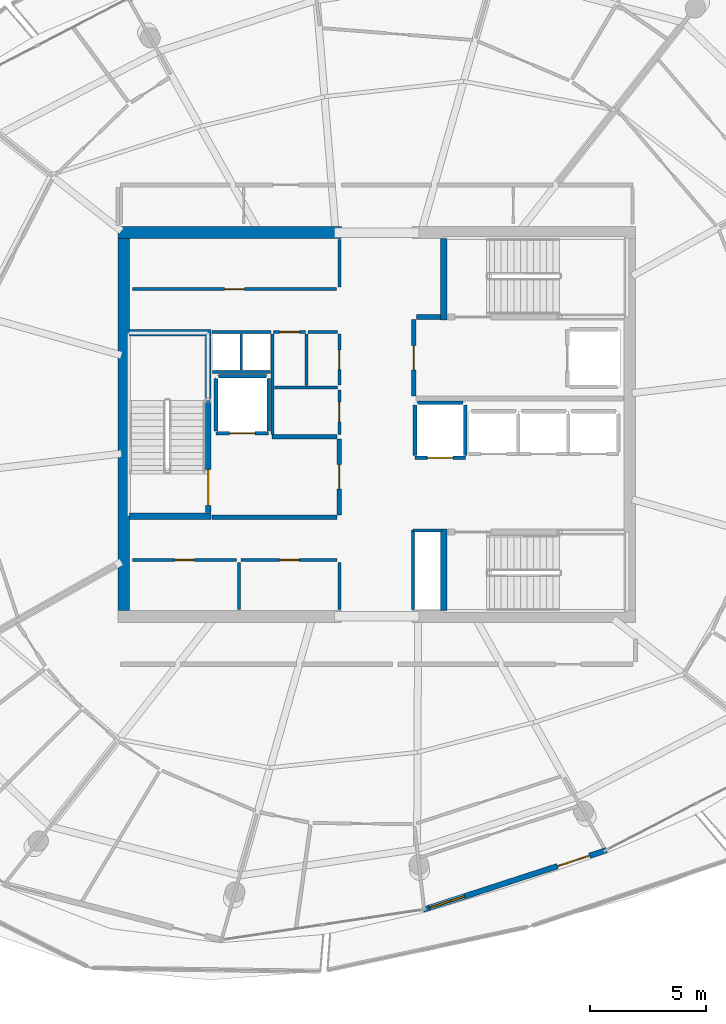
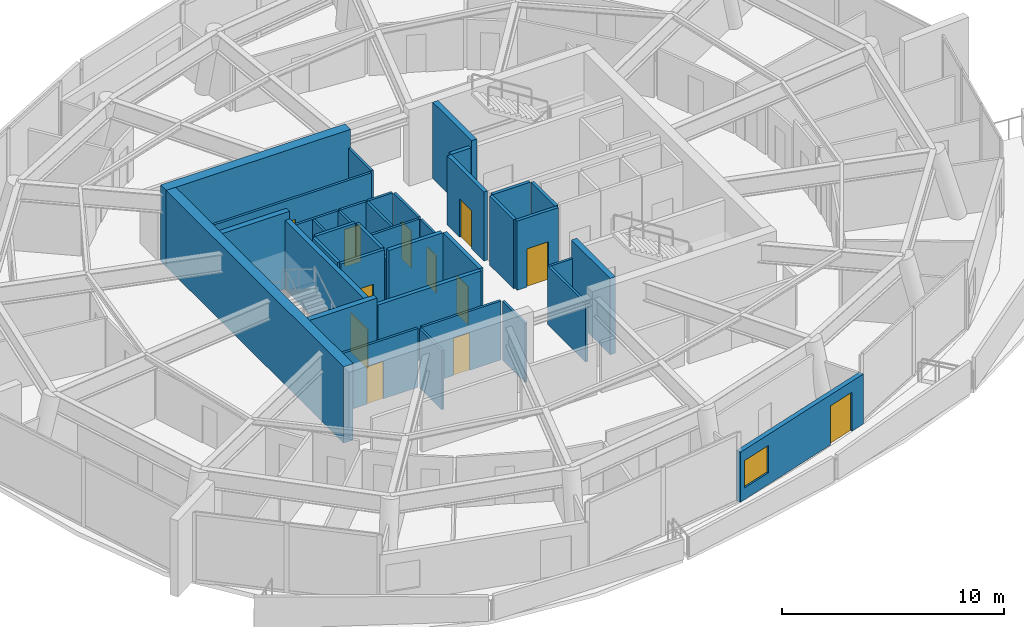
# One storey, part 10 of 19: 39 walls, 12 doors, 1 window, 13 openings.
"""IFC4 building model written with IfcOpenShell, lengths in metres."""

import ifcopenshell
import ifcopenshell.guid

model = None  # the IFC model being written
_history = None  # IfcOwnerHistory: only IFC2X3 demands one
_inside = {}  # id of a spatial element -> (the spatial element, [elements in it])
_under = {}  # id of a project, library or spatial element -> (it, [spatial elements below it])
_declared = {}  # id of a project -> (the project, [libraries it declares])
_typed = {}  # id of a type object -> (the type object, [elements of that type])
_made_of = {}  # id of a material, layer set ... -> (it, [elements and type objects made of it])


def new_model(schema):
    """Start an empty IFC model of exactly this schema.

    Asked for "IFC4X3", IfcOpenShell would pick the latest addendum, in which some entities
    have other attributes; the version numbers below select the first issue.
    IFC2X3 requires an IfcOwnerHistory on every rooted entity: one is made here for all.
    """
    global model, _history
    if schema == "IFC4X3":
        model = ifcopenshell.file(schema_version=(4, 3, 0, 0))
    else:
        model = ifcopenshell.file(schema=schema)
    _inside.clear()
    _under.clear()
    _declared.clear()
    _typed.clear()
    _made_of.clear()
    _history = None
    if model.schema == "IFC2X3":
        org = make("IfcOrganization", Name="unknown")
        user = make(
            "IfcPersonAndOrganization",
            ThePerson=make("IfcPerson", FamilyName="unknown"),
            TheOrganization=org,
        )
        app = make(
            "IfcApplication",
            ApplicationDeveloper=org,
            Version="unknown",
            ApplicationFullName="unknown",
            ApplicationIdentifier="unknown",
        )
        _history = make(
            "IfcOwnerHistory",
            OwningUser=user,
            OwningApplication=app,
            ChangeAction="ADDED",
            CreationDate=0,
        )
    return model


def make(cls, **values):
    """One entity of the class cls with the attributes given. An attribute that is None is left unset."""
    return model.create_entity(
        cls, **{name: value for name, value in values.items() if value is not None}
    )


def rooted(cls, **values):
    """An entity with a GlobalId (a new one), such as an element, a storey or a relation."""
    return make(cls, GlobalId=ifcopenshell.guid.new(), OwnerHistory=_history, **values)


def si_unit(unit_type, name, prefix=None):
    """IfcSIUnit, for example si_unit("LENGTHUNIT", "METRE", prefix="MILLI")."""
    return make("IfcSIUnit", UnitType=unit_type, Prefix=prefix, Name=name)


def assignment(units):
    """IfcUnitAssignment: the units of a project."""
    return None if units is None else make("IfcUnitAssignment", Units=units)


def point(xyz):
    """IfcCartesianPoint."""
    return None if xyz is None else make("IfcCartesianPoint", Coordinates=xyz)


def direction(xyz):
    """IfcDirection."""
    return None if xyz is None else make("IfcDirection", DirectionRatios=xyz)


def frame(location, z_axis=None, x_axis=None):
    """IfcAxis2Placement3D, a coordinate frame: its origin and axes. An axis left out is left unset."""
    return make(
        "IfcAxis2Placement3D",
        Location=point(location),
        Axis=direction(z_axis),
        RefDirection=direction(x_axis),
    )


def frame_2d(location, x_axis=None):
    """IfcAxis2Placement2D, a coordinate frame in the plane: its origin and x axis."""
    return make(
        "IfcAxis2Placement2D", Location=point(location), RefDirection=direction(x_axis)
    )


def origin():
    """The frame at (0, 0, 0) with its axes left unset."""
    return frame((0.0, 0.0, 0.0))


def place(relative_to, where):
    """IfcLocalPlacement: puts the frame where relative to a parent placement (None: the world)."""
    return make(
        "IfcLocalPlacement", PlacementRelTo=relative_to, RelativePlacement=where
    )


def context(
    kind, dimensions, precision=None, world=None, true_north=None, identifier=None
):
    """IfcGeometricRepresentationContext, for example the 3D "Model" context."""
    return make(
        "IfcGeometricRepresentationContext",
        ContextIdentifier=identifier,
        ContextType=kind,
        CoordinateSpaceDimension=dimensions,
        Precision=precision,
        WorldCoordinateSystem=world,
        TrueNorth=true_north,
    )


def subcontext(parent, identifier, kind, view, scale=None):
    """IfcGeometricRepresentationSubContext, for example "Body" below "Model"."""
    return make(
        "IfcGeometricRepresentationSubContext",
        ContextIdentifier=identifier,
        ContextType=kind,
        ParentContext=parent,
        TargetScale=scale,
        TargetView=view,
    )


def project(units=None, contexts=None):
    """IfcProject with its units and contexts."""
    return rooted(
        "IfcProject",
        Name="project",
        RepresentationContexts=contexts,
        UnitsInContext=assignment(units),
    )


def spatial(cls, under=None, at=None, **own):
    """A site, building, storey or space (cls), placed at a placement, below another one or the project."""
    s = rooted(cls, ObjectPlacement=at, **own)
    if under is not None:
        _under.setdefault(under.id(), (under, []))[1].append(s)
    return s


def profile(cls, at=None, kind="AREA", **sizes):
    """A parametric profile (cls). Its sizes go by their IFC names, for example OverallWidth=200.0."""
    return make(cls, ProfileType=kind, Position=at, **sizes)


def rectangle(**sizes):
    """IfcRectangleProfileDef."""
    return profile("IfcRectangleProfileDef", **sizes)


def extrude(swept, where, along, depth):
    """IfcExtrudedAreaSolid: the profile swept, set in the frame where, extruded along a direction by depth."""
    return make(
        "IfcExtrudedAreaSolid",
        SweptArea=swept,
        Position=where,
        ExtrudedDirection=direction(along),
        Depth=depth,
    )


def shape(context_of_items, identifier, shape_type, items):
    """IfcShapeRepresentation: the items that make up one representation, for example the "Body"."""
    return make(
        "IfcShapeRepresentation",
        ContextOfItems=context_of_items,
        RepresentationIdentifier=identifier,
        RepresentationType=shape_type,
        Items=items,
    )


def material(Name=None, Category=None):
    """IfcMaterial."""
    return make("IfcMaterial", Name=Name, Category=Category)


def layer(
    of_material, thickness, ventilated=None, Name=None, Category=None, Priority=None
):
    """IfcMaterialLayer: one layer of a wall or slab, of a material (None: an air gap)."""
    return make(
        "IfcMaterialLayer",
        Material=of_material,
        LayerThickness=thickness,
        IsVentilated=ventilated,
        Name=Name,
        Category=Category,
        Priority=Priority,
    )


def layer_set(layers, Name=None):
    """IfcMaterialLayerSet."""
    return make("IfcMaterialLayerSet", MaterialLayers=layers, LayerSetName=Name)


def made_of(thing, what):
    """Note that an element or type object is made of a material, layer set ...; save() writes the relation."""
    if what is not None:
        _made_of.setdefault(what.id(), (what, []))[1].append(thing)
    return thing


def type_object(cls, material=None, **own):
    """A type object (cls), such as IfcWallType, which elements share."""
    return made_of(rooted(cls, **own), material)


def element(
    cls,
    number,
    at=None,
    inside=None,
    cuts=None,
    type_object=None,
    material=None,
    context=None,
    identifier="Body",
    shape_type=None,
    held_by="IfcProductDefinitionShape",
    body=None,
    shapes=None,
    **own,
):
    """One element of the class cls, such as IfcWall. Its Tag is "e" and its number.

    at: its placement. inside: the storey or other place that contains it. cuts: it is an
    opening in that element (IfcRelVoidsElement). A single representation is given by context,
    identifier, shape_type and body (its items); several are given by shapes. held_by: the class
    of the entity that holds the representations. save() writes the other relations.
    """
    e = rooted(cls, Tag="e%d" % number, ObjectPlacement=at, **own)
    if body is not None:
        shapes = [shape(context, identifier, shape_type, body)]
    if shapes is not None:
        e.Representation = make(held_by, Representations=shapes)
    if inside is not None:
        _inside.setdefault(inside.id(), (inside, []))[1].append(e)
    if cuts is not None:
        rooted(
            "IfcRelVoidsElement", RelatingBuildingElement=cuts, RelatedOpeningElement=e
        )
    if type_object is not None:
        _typed.setdefault(type_object.id(), (type_object, []))[1].append(e)
    return made_of(e, material)


def fill(opening, filler):
    """IfcRelFillsElement: the door or window that sits in an opening."""
    return rooted(
        "IfcRelFillsElement",
        RelatingOpeningElement=opening,
        RelatedBuildingElement=filler,
    )


def aggregate(whole, parts):
    """IfcRelAggregates: a whole, such as a stair, and the parts it consists of."""
    return rooted("IfcRelAggregates", RelatingObject=whole, RelatedObjects=parts)


def save(model, path):
    """Write the relations noted so far, then the file.

    IfcRelAggregates (storeys below a building ...), IfcRelContainedInSpatialStructure (elements
    in a storey), IfcRelDefinesByType, IfcRelAssociatesMaterial and IfcRelDeclares: one each for
    every whole, place, type object, material and project.
    """
    for whole, parts in _under.values():
        aggregate(whole, parts)
    for where, things in _inside.values():
        rooted(
            "IfcRelContainedInSpatialStructure",
            RelatedElements=things,
            RelatingStructure=where,
        )
    for kind, things in _typed.values():
        rooted("IfcRelDefinesByType", RelatedObjects=things, RelatingType=kind)
    for what, things in _made_of.values():
        rooted("IfcRelAssociatesMaterial", RelatedObjects=things, RelatingMaterial=what)
    for by, libraries in _declared.values():
        rooted("IfcRelDeclares", RelatingContext=by, RelatedDefinitions=libraries)
    model.write(path)


model = new_model("IFC4")

# Units and contexts
model_context = context("Model", 3, precision=1e-05, world=origin(), true_north=direction((0.0, 1.0)))
body_context = subcontext(model_context, "Body", "Model", "MODEL_VIEW")
ifc_project = project(units=[si_unit("LENGTHUNIT", "METRE"), si_unit("AREAUNIT", "SQUARE_METRE"), si_unit("VOLUMEUNIT", "CUBIC_METRE"), si_unit("PLANEANGLEUNIT", "RADIAN"), si_unit("MASSUNIT", "GRAM", prefix="KILO")], contexts=[model_context])

# Site, building, storey
site_placement = place(None, origin())
site = spatial("IfcSite", under=ifc_project, at=site_placement, CompositionType="ELEMENT")
building_placement = place(site_placement, origin())
building = spatial("IfcBuilding", under=site, at=building_placement, Name="Kazma Halo Residences", CompositionType="ELEMENT")
storey_placement = place(building_placement, frame((0.0, 0.0, 347.300048828125)))
storey = spatial("IfcBuildingStorey", under=building, at=storey_placement, Name="L87", CompositionType="ELEMENT", Elevation=347.300048828125)

# Walls
ifc_material_1 = material(Name="Concrete C60/75", Category="concrete")
ifc_layer_1 = layer(ifc_material_1, 0.5)
ifc_layer_set_1 = layer_set([ifc_layer_1], Name="Concrete C60/75")
wall_type_1 = type_object("IfcWallType", Name="WL-CORE-500", PredefinedType="SHEAR", material=ifc_layer_set_1)
wall_1_placement = place(storey_placement, frame((37.300048828125, 50.25, 0.0), z_axis=(0.0, 0.0, 1.0), x_axis=(1.0, 0.0, 0.0)))
element("IfcWall", 1, at=wall_1_placement, inside=storey, type_object=wall_type_1, Name="L87 central core shear wall NW", PredefinedType="SHEAR", context=body_context, shape_type="SweptSolid", body=[
    extrude(rectangle(XDim=9.599853515625, YDim=0.5, at=frame_2d((4.7998046875, 0.0))), origin(), (0.0, 0.0, 1.0), 4.199951171875),
])
wall_2_placement = place(storey_placement, frame((37.550048828125, 34.0, 0.0), z_axis=(0.0, 0.0, 1.0), x_axis=(0.0, 1.0, 0.0)))
element("IfcWall", 2, at=wall_2_placement, inside=storey, type_object=wall_type_1, Name="L87 central core shear wall W", PredefinedType="SHEAR", context=body_context, shape_type="SweptSolid", body=[
    extrude(rectangle(XDim=16.0, YDim=0.5, at=frame_2d((8.0, 0.0))), origin(), (0.0, 0.0, 1.0), 4.199951171875),
])
ifc_layer_2 = layer(ifc_material_1, 0.280029296875)
ifc_layer_set_2 = layer_set([ifc_layer_2], Name="Concrete C60/75")
wall_type_2 = type_object("IfcWallType", Name="WL-CORE-ST-280", PredefinedType="SHEAR", material=ifc_layer_set_2)
for number, where, z_axis, x_axis, name in (
    (3, (37.800048828125, 38.06005859375, 0.0), (0.0, 0.0, 1.0), (1.0, 0.0, 0.0), "L87 stairwell bearing wall ST01-S"),
    (4, (37.800048828125, 45.93994140625, 0.0), (0.0, 0.0, 1.0), (1.0, 0.0, 0.0), "L87 stairwell bearing wall ST01-N"),
    (5, (51.31005859375, 46.5, 0.0), (0.0, 0.0, 1.0), (0.0, 1.0, 0.0), "L87 stairwell bearing wall ST02-W"),
    (6, (51.31005859375, 34.0, 0.0), (0.0, 0.0, 1.0), (0.0, 1.0, 0.0), "L87 stairwell bearing wall ST03-W"),
):
    element("IfcWall", number, at=place(storey_placement, frame(where, z_axis=z_axis, x_axis=x_axis)), inside=storey, type_object=wall_type_2, Name=name, PredefinedType="SHEAR", context=body_context, shape_type="SweptSolid", body=[
        extrude(rectangle(XDim=3.5, YDim=0.280029296875, at=frame_2d((1.75, 0.0))), origin(), (0.0, 0.0, 1.0), 4.199951171875),
    ])

# Wall, openings, door, window
ifc_material_2 = material(Name="Insulated Pale-Metal Composite Wall")
ifc_layer_3 = layer(ifc_material_2, 0.239990234375)
ifc_layer_set_3 = layer_set([ifc_layer_3], Name="Insulated Pale-Metal Composite Wall")
wall_type_3 = type_object("IfcWallType", Name="WL-EXT-HOST-240", PredefinedType="SOLIDWALL", material=ifc_layer_set_3)
wall_3_placement = place(storey_placement, frame((50.419189453125, 21.142578125, 0.0), z_axis=(0.0, 0.0, 1.0), x_axis=(0.951053547111, 0.309026132434, 0.0)))
wall_3 = element("IfcWall", 7, at=wall_3_placement, inside=storey, type_object=wall_type_3, Name="L87 exterior terrace-access wall B12", PredefinedType="SOLIDWALL", context=body_context, shape_type="SweptSolid", body=[
    extrude(rectangle(XDim=8.2890625, YDim=0.239990234375, at=frame_2d((4.14453125, 0.0))), origin(), (0.0, 0.0, 1.0), 2.75),
])
opening_1_placement = place(wall_3_placement, frame((6.06884765625, 0.0, 0.0)))
opening_1 = element("IfcOpeningElement", 8, at=opening_1_placement, cuts=wall_3, Name="Opening DTR-1600", PredefinedType="OPENING", context=body_context, shape_type="SweptSolid", body=[
    extrude(rectangle(XDim=1.449951171875, YDim=2.14990234375, at=frame_2d((0.72509765625, 1.074951171875))), frame((0.0, 0.1298828125, 0.0), z_axis=(0.0, -1.0, 0.0), x_axis=(1.0, 0.0, 0.0)), (0.0, 0.0, 1.0), 0.260009765625),
])
opening_2_placement = place(wall_3_placement, frame((0.280029296875, 0.0, 0.64990234375)))
opening_2 = element("IfcOpeningElement", 9, at=opening_2_placement, cuts=wall_3, Name="Opening W-1800", PredefinedType="OPENING", context=body_context, shape_type="SweptSolid", body=[
    extrude(rectangle(XDim=1.60009765625, YDim=1.5, at=frame_2d((0.800048828125, 0.75))), frame((0.0, 0.1298828125, 0.0), z_axis=(0.0, -1.0, 0.0), x_axis=(1.0, 0.0, 0.0)), (0.0, 0.0, 1.0), 0.260009765625),
])
ifc_material_3 = material(Name="Aluminium AW-6063 T6 Double-Glazed Terrace Door", Category="aluminium")
door_type_1 = type_object("IfcDoorType", Name="DR-EXT-TERR-1600", OperationType="NOTDEFINED", PredefinedType="DOOR", material=ifc_material_3)
door_1_placement = place(opening_1_placement, origin())
door_1 = element("IfcDoor", 10, at=door_1_placement, inside=storey, type_object=door_type_1, Name="L87 B12 balcony terrace door", OperationType="DOUBLE_DOOR_SLIDING", OverallHeight=2.14990234375, OverallWidth=1.449951171875, PredefinedType="DOOR", context=body_context, shape_type="SweptSolid", body=[
    extrude(rectangle(XDim=1.449951171875, YDim=2.14990234375, at=frame_2d((0.72509765625, 1.074951171875))), frame((0.0, 0.02490234375, 0.0), z_axis=(0.0, -1.0, 0.0), x_axis=(1.0, 0.0, 0.0)), (0.0, 0.0, 1.0), 0.050048828125),
])
fill(opening_1, door_1)
ifc_material_4 = material(Name="Clear Triple-Silver Low-E Glass in Aluminium AW-6063 T6 Frame", Category="aluminium")
window_type = type_object("IfcWindowType", Name="WIN-RES-1800", PartitioningType="DOUBLE_PANEL_VERTICAL", PredefinedType="WINDOW", material=ifc_material_4)
window_placement = place(opening_2_placement, origin())
window = element("IfcWindow", 11, at=window_placement, inside=storey, type_object=window_type, Name="L87 B12 apartment window", OverallHeight=1.5, OverallWidth=1.60009765625, PartitioningType="SINGLE_PANEL", PredefinedType="WINDOW", context=body_context, shape_type="SweptSolid", body=[
    extrude(rectangle(XDim=1.60009765625, YDim=1.5, at=frame_2d((0.800048828125, 0.75))), frame((0.0, 0.030029296875, 0.0), z_axis=(0.0, -1.0, 0.0), x_axis=(1.0, 0.0, 0.0)), (0.0, 0.0, 1.0), 0.06005859375),
])
fill(opening_2, window)

# Wall, opening, door
ifc_material_5 = material(Name="Fire-Rated Blockwork Masonry", Category="masonry")
ifc_layer_4 = layer(ifc_material_5, 0.199951171875)
ifc_layer_set_4 = layer_set([ifc_layer_4], Name="Fire-Rated Blockwork Masonry")
wall_type_4 = type_object("IfcWallType", Name="WL-FLB-200", PredefinedType="PARTITIONING", material=ifc_layer_set_4)
wall_4_placement = place(storey_placement, frame((43.780029296875, 41.6201171875, 0.0), z_axis=(0.0, 0.0, 1.0), x_axis=(-1.0, 0.0, 0.0)))
wall_4 = element("IfcWall", 12, at=wall_4_placement, inside=storey, type_object=wall_type_4, Name="L87 lift shaft FL-01 front wall", PredefinedType="PARTITIONING", context=body_context, shape_type="SweptSolid", body=[
    extrude(rectangle(XDim=2.260009765625, YDim=0.159912109375, at=frame_2d((1.1298828125, 0.0))), origin(), (0.0, 0.0, 1.0), 3.800048828125),
])
opening_3_placement = place(wall_4_placement, frame((0.580078125, 0.0, 0.0)))
opening_3 = element("IfcOpeningElement", 13, at=opening_3_placement, cuts=wall_4, Name="Opening LD-FL-01", PredefinedType="OPENING", context=body_context, shape_type="SweptSolid", body=[
    extrude(rectangle(XDim=1.10009765625, YDim=2.10009765625, at=frame_2d((0.550048828125, 1.050048828125))), frame((0.0, 0.08984375, 0.0), z_axis=(0.0, -1.0, 0.0), x_axis=(1.0, 0.0, 0.0)), (0.0, 0.0, 1.0), 0.179931640625),
])
ifc_material_6 = material(Name="Stainless Steel Fire-Rated", Category="steel")
door_type_2 = type_object("IfcDoorType", Name="DR-LIFT-SLD-1100", OperationType="DOUBLE_DOOR_SLIDING", PredefinedType="DOOR", material=ifc_material_6)
door_2_placement = place(opening_3_placement, origin())
door_2 = element("IfcDoor", 14, at=door_2_placement, inside=storey, type_object=door_type_2, Name="L87 lift FL-01 sliding landing door", OperationType="DOUBLE_DOOR_SLIDING", OverallHeight=2.10009765625, OverallWidth=1.10009765625, PredefinedType="DOOR", context=body_context, shape_type="SweptSolid", body=[
    extrude(rectangle(XDim=1.10009765625, YDim=2.10009765625, at=frame_2d((0.550048828125, 1.050048828125))), frame((0.0, 0.02490234375, 0.0), z_axis=(0.0, -1.0, 0.0), x_axis=(1.0, 0.0, 0.0)), (0.0, 0.0, 1.0), 0.050048828125),
])
fill(opening_3, door_2)

# Walls
for number, where, z_axis, x_axis, name in (
    (15, (43.780029296875, 41.719970703125, 0.0), (0.0, 0.0, 1.0), (0.0, 1.0, 0.0), "L87 lift shaft FL-01 side wall E"),
    (16, (41.52001953125, 41.719970703125, 0.0), (0.0, 0.0, 1.0), (0.0, 1.0, 0.0), "L87 lift shaft FL-01 side wall W"),
):
    element("IfcWall", number, at=place(storey_placement, frame(where, z_axis=z_axis, x_axis=x_axis)), inside=storey, type_object=wall_type_4, Name=name, PredefinedType="PARTITIONING", context=body_context, shape_type="SweptSolid", body=[
        extrude(rectangle(XDim=2.260009765625, YDim=0.159912109375, at=frame_2d((1.1298828125, 0.0))), origin(), (0.0, 0.0, 1.0), 3.800048828125),
    ])
wall_5_placement = place(storey_placement, frame((41.6201171875, 44.080078125, 0.0), z_axis=(0.0, 0.0, 1.0), x_axis=(1.0, 0.0, 0.0)))
element("IfcWall", 17, at=wall_5_placement, inside=storey, type_object=wall_type_4, Name="L87 lift shaft FL-01 side wall N", PredefinedType="PARTITIONING", context=body_context, shape_type="SweptSolid", body=[
    extrude(rectangle(XDim=2.059814453125, YDim=0.159912109375, at=frame_2d((1.02978515625, 0.0))), origin(), (0.0, 0.0, 1.0), 3.800048828125),
])

# Wall, opening, door
wall_6_placement = place(storey_placement, frame((52.22998046875, 40.570068359375, 0.0), z_axis=(0.0, 0.0, 1.0), x_axis=(-1.0, 0.0, 0.0)))
wall_6 = element("IfcWall", 18, at=wall_6_placement, inside=storey, type_object=wall_type_4, Name="L87 lift shaft SV-01 front wall", PredefinedType="PARTITIONING", context=body_context, shape_type="SweptSolid", body=[
    extrude(rectangle(XDim=2.159912109375, YDim=0.159912109375, at=frame_2d((1.080078125, 0.0))), origin(), (0.0, 0.0, 1.0), 3.800048828125),
])
opening_4_placement = place(wall_6_placement, frame((0.530029296875, 0.0, 0.0)))
opening_4 = element("IfcOpeningElement", 19, at=opening_4_placement, cuts=wall_6, Name="Opening LD-SV-01", PredefinedType="OPENING", context=body_context, shape_type="SweptSolid", body=[
    extrude(rectangle(XDim=1.10009765625, YDim=2.10009765625, at=frame_2d((0.550048828125, 1.050048828125))), frame((0.0, 0.08984375, 0.0), z_axis=(0.0, -1.0, 0.0), x_axis=(1.0, 0.0, 0.0)), (0.0, 0.0, 1.0), 0.179931640625),
])
door_3_placement = place(opening_4_placement, origin())
door_3 = element("IfcDoor", 20, at=door_3_placement, inside=storey, type_object=door_type_2, Name="L87 lift SV-01 sliding landing door", OperationType="DOUBLE_DOOR_SLIDING", OverallHeight=2.10009765625, OverallWidth=1.10009765625, PredefinedType="DOOR", context=body_context, shape_type="SweptSolid", body=[
    extrude(rectangle(XDim=1.10009765625, YDim=2.10009765625, at=frame_2d((0.550048828125, 1.050048828125))), frame((0.0, 0.02490234375, 0.0), z_axis=(0.0, -1.0, 0.0), x_axis=(1.0, 0.0, 0.0)), (0.0, 0.0, 1.0), 0.050048828125),
])
fill(opening_4, door_3)

# Walls
for number, where, z_axis, x_axis, name in (
    (21, (52.22998046875, 40.669921875, 0.0), (0.0, 0.0, 1.0), (0.0, 1.0, 0.0), "L87 lift shaft SV-01 side wall E"),
    (22, (50.070068359375, 40.669921875, 0.0), (0.0, 0.0, 1.0), (0.0, 1.0, 0.0), "L87 lift shaft SV-01 side wall W"),
):
    element("IfcWall", number, at=place(storey_placement, frame(where, z_axis=z_axis, x_axis=x_axis)), inside=storey, type_object=wall_type_4, Name=name, PredefinedType="PARTITIONING", context=body_context, shape_type="SweptSolid", body=[
        extrude(rectangle(XDim=2.16015625, YDim=0.159912109375, at=frame_2d((1.080078125, 0.0))), origin(), (0.0, 0.0, 1.0), 3.800048828125),
    ])
wall_7_placement = place(storey_placement, frame((50.169921875, 42.929931640625, 0.0), z_axis=(0.0, 0.0, 1.0), x_axis=(1.0, 0.0, 0.0)))
element("IfcWall", 23, at=wall_7_placement, inside=storey, type_object=wall_type_4, Name="L87 lift shaft SV-01 side wall N", PredefinedType="PARTITIONING", context=body_context, shape_type="SweptSolid", body=[
    extrude(rectangle(XDim=1.9599609375, YDim=0.159912109375, at=frame_2d((0.97998046875, 0.0))), origin(), (0.0, 0.0, 1.0), 3.800048828125),
])
wall_8_placement = place(storey_placement, frame((41.35009765625, 38.02001953125, 0.0), z_axis=(0.0, 0.0, 1.0), x_axis=(1.0, 0.0, 0.0)))
element("IfcWall", 24, at=wall_8_placement, inside=storey, type_object=wall_type_4, Name="L87 west firefighting lobby south smoke wall", PredefinedType="PARTITIONING", context=body_context, shape_type="SweptSolid", body=[
    extrude(rectangle(XDim=5.369873046875, YDim=0.199951171875, at=frame_2d((2.68505859375, 0.0))), origin(), (0.0, 0.0, 1.0), 3.800048828125),
])
wall_9_placement = place(storey_placement, frame((43.919921875, 41.47998046875, 0.0), z_axis=(0.0, 0.0, 1.0), x_axis=(1.0, 0.0, 0.0)))
element("IfcWall", 25, at=wall_9_placement, inside=storey, type_object=wall_type_4, Name="L87 west firefighting lobby north smoke wall", PredefinedType="PARTITIONING", context=body_context, shape_type="SweptSolid", body=[
    extrude(rectangle(XDim=2.800048828125, YDim=0.199951171875, at=frame_2d((1.39990234375, 0.0))), origin(), (0.0, 0.0, 1.0), 3.800048828125),
])

# Wall, opening, door
wall_10_placement = place(storey_placement, frame((46.820068359375, 38.1201171875, 0.0), z_axis=(0.0, 0.0, 1.0), x_axis=(0.0, 1.0, 0.0)))
wall_10 = element("IfcWall", 26, at=wall_10_placement, inside=storey, type_object=wall_type_4, Name="L87 west firefighting lobby smoke wall", PredefinedType="PARTITIONING", context=body_context, shape_type="SweptSolid", body=[
    extrude(rectangle(XDim=3.259765625, YDim=0.199951171875, at=frame_2d((1.6298828125, 0.0))), origin(), (0.0, 0.0, 1.0), 3.800048828125),
])
opening_5_placement = place(wall_10_placement, frame((1.10498046875, 0.0, 0.0)))
opening_5 = element("IfcOpeningElement", 27, at=opening_5_placement, cuts=wall_10, Name="Opening D-FLW", PredefinedType="OPENING", context=body_context, shape_type="SweptSolid", body=[
    extrude(rectangle(XDim=1.050048828125, YDim=2.10009765625, at=frame_2d((0.52490234375, 1.050048828125))), frame((0.0, 0.10986328125, 0.0), z_axis=(0.0, -1.0, 0.0), x_axis=(1.0, 0.0, 0.0)), (0.0, 0.0, 1.0), 0.219970703125),
])
ifc_material_7 = material(Name="Fire-Rated Steel Leaf", Category="steel")
door_type_3 = type_object("IfcDoorType", Name="DR-FD90-1050", OperationType="NOTDEFINED", PredefinedType="DOOR", material=ifc_material_7)
door_4_placement = place(opening_5_placement, origin())
door_4 = element("IfcDoor", 28, at=door_4_placement, inside=storey, type_object=door_type_3, Name="L87 west firefighting lobby smoke door", OperationType="SINGLE_SWING_RIGHT", OverallHeight=2.10009765625, OverallWidth=1.050048828125, PredefinedType="DOOR", context=body_context, shape_type="SweptSolid", body=[
    extrude(rectangle(XDim=1.050048828125, YDim=2.10009765625, at=frame_2d((0.52490234375, 1.050048828125))), frame((0.0, 0.02490234375, 0.0), z_axis=(0.0, -1.0, 0.0), x_axis=(1.0, 0.0, 0.0)), (0.0, 0.0, 1.0), 0.050048828125),
])
fill(opening_5, door_4)

# Wall
wall_11_placement = place(storey_placement, frame((50.139892578125, 46.6201171875, 0.0), z_axis=(0.0, 0.0, 1.0), x_axis=(1.0, 0.0, 0.0)))
element("IfcWall", 29, at=wall_11_placement, inside=storey, type_object=wall_type_4, Name="L87 east firefighting lobby north closure wall", PredefinedType="PARTITIONING", context=body_context, shape_type="SweptSolid", body=[
    extrude(rectangle(XDim=1.02001953125, YDim=0.199951171875, at=frame_2d((0.510009765625, 0.0))), origin(), (0.0, 0.0, 1.0), 3.800048828125),
])

# Wall, opening, door
wall_12_placement = place(storey_placement, frame((50.02001953125, 43.219970703125, 0.0), z_axis=(0.0, 0.0, 1.0), x_axis=(0.0, 1.0, 0.0)))
wall_12 = element("IfcWall", 30, at=wall_12_placement, inside=storey, type_object=wall_type_4, Name="L87 east firefighting lobby smoke wall", PredefinedType="PARTITIONING", context=body_context, shape_type="SweptSolid", body=[
    extrude(rectangle(XDim=3.300048828125, YDim=0.199951171875, at=frame_2d((1.64990234375, 0.0))), origin(), (0.0, 0.0, 1.0), 3.800048828125),
])
opening_6_placement = place(wall_12_placement, frame((1.125, 0.0, 0.0)))
opening_6 = element("IfcOpeningElement", 31, at=opening_6_placement, cuts=wall_12, Name="Opening D-FLE", PredefinedType="OPENING", context=body_context, shape_type="SweptSolid", body=[
    extrude(rectangle(XDim=1.050048828125, YDim=2.10009765625, at=frame_2d((0.52490234375, 1.050048828125))), frame((0.0, 0.10986328125, 0.0), z_axis=(0.0, -1.0, 0.0), x_axis=(1.0, 0.0, 0.0)), (0.0, 0.0, 1.0), 0.219970703125),
])
door_5_placement = place(opening_6_placement, origin())
door_5 = element("IfcDoor", 32, at=door_5_placement, inside=storey, type_object=door_type_3, Name="L87 east firefighting lobby smoke door", OperationType="SINGLE_SWING_LEFT", OverallHeight=2.10009765625, OverallWidth=1.050048828125, PredefinedType="DOOR", context=body_context, shape_type="SweptSolid", body=[
    extrude(rectangle(XDim=1.050048828125, YDim=2.10009765625, at=frame_2d((0.52490234375, 1.050048828125))), frame((0.0, 0.02490234375, 0.0), z_axis=(0.0, -1.0, 0.0), x_axis=(1.0, 0.0, 0.0)), (0.0, 0.0, 1.0), 0.050048828125),
])
fill(opening_6, door_5)

# Walls
ifc_material_8 = material(Name="Gypsum Plasterboard Partition")
ifc_layer_5 = layer(ifc_material_8, 0.125)
ifc_layer_set_5 = layer_set([ifc_layer_5], Name="Gypsum Plasterboard Partition")
wall_type_5 = type_object("IfcWallType", Name="WL-PART-125", PredefinedType="PARTITIONING", material=ifc_layer_set_5)
for number, where, z_axis, x_axis, name in (
    (33, (46.820068359375, 34.050048828125, 0.0), (0.0, 0.0, 1.0), (0.0, 1.0, 0.0), "L87 reclaimed south east wall"),
    (34, (42.5, 34.050048828125, 0.0), (0.0, 0.0, 1.0), (0.0, 1.0, 0.0), "L87 reclaimed south divider wall"),
):
    element("IfcWall", number, at=place(storey_placement, frame(where, z_axis=z_axis, x_axis=x_axis)), inside=storey, type_object=wall_type_5, Name=name, PredefinedType="PARTITIONING", context=body_context, shape_type="SweptSolid", body=[
        extrude(rectangle(XDim=2.030029296875, YDim=0.125, at=frame_2d((1.01513671875, 0.0))), origin(), (0.0, 0.0, 1.0), 3.239990234375),
    ])

# Wall, opening, door
wall_13_placement = place(storey_placement, frame((37.919921875, 36.179931640625, 0.0), z_axis=(0.0, 0.0, 1.0), x_axis=(1.0, 0.0, 0.0)))
wall_13 = element("IfcWall", 35, at=wall_13_placement, inside=storey, type_object=wall_type_5, Name="L87 reclaimed south W front wall", PredefinedType="PARTITIONING", context=body_context, shape_type="SweptSolid", body=[
    extrude(rectangle(XDim=4.47998046875, YDim=0.125, at=frame_2d((2.239990234375, 0.0))), origin(), (0.0, 0.0, 1.0), 3.239990234375),
])
opening_7_placement = place(wall_13_placement, frame((1.81494140625, 0.0, 0.0)))
opening_7 = element("IfcOpeningElement", 36, at=opening_7_placement, cuts=wall_13, Name="Opening DS-850", PredefinedType="OPENING", context=body_context, shape_type="SweptSolid", body=[
    extrude(rectangle(XDim=0.85009765625, YDim=2.06005859375, at=frame_2d((0.425048828125, 1.030029296875))), frame((0.0, 0.072509765625, 0.0), z_axis=(0.0, -1.0, 0.0), x_axis=(1.0, 0.0, 0.0)), (0.0, 0.0, 1.0), 0.14501953125),
])
ifc_material_9 = material(Name="Painted Steel Access Leaf", Category="steel")
door_type_4 = type_object("IfcDoorType", Name="DR-SVC-850", OperationType="NOTDEFINED", PredefinedType="DOOR", material=ifc_material_9)
door_6_placement = place(opening_7_placement, origin())
door_6 = element("IfcDoor", 37, at=door_6_placement, inside=storey, type_object=door_type_4, Name="L87 reclaimed south W door", OperationType="SINGLE_SWING_RIGHT", OverallHeight=2.06005859375, OverallWidth=0.85009765625, PredefinedType="DOOR", context=body_context, shape_type="SweptSolid", body=[
    extrude(rectangle(XDim=0.85009765625, YDim=2.06005859375, at=frame_2d((0.425048828125, 1.030029296875))), frame((0.0, 0.02490234375, 0.0), z_axis=(0.0, -1.0, 0.0), x_axis=(1.0, 0.0, 0.0)), (0.0, 0.0, 1.0), 0.050048828125),
])
fill(opening_7, door_6)

wall_14_placement = place(storey_placement, frame((42.60009765625, 36.179931640625, 0.0), z_axis=(0.0, 0.0, 1.0), x_axis=(1.0, 0.0, 0.0)))
wall_14 = element("IfcWall", 38, at=wall_14_placement, inside=storey, type_object=wall_type_5, Name="L87 reclaimed south E front wall", PredefinedType="PARTITIONING", context=body_context, shape_type="SweptSolid", body=[
    extrude(rectangle(XDim=4.119873046875, YDim=0.125, at=frame_2d((2.06005859375, 0.0))), origin(), (0.0, 0.0, 1.0), 3.239990234375),
])
opening_8_placement = place(wall_14_placement, frame((1.635009765625, 0.0, 0.0)))
opening_8 = element("IfcOpeningElement", 39, at=opening_8_placement, cuts=wall_14, Name="Opening DS-850", PredefinedType="OPENING", context=body_context, shape_type="SweptSolid", body=[
    extrude(rectangle(XDim=0.85009765625, YDim=2.06005859375, at=frame_2d((0.425048828125, 1.030029296875))), frame((0.0, 0.072509765625, 0.0), z_axis=(0.0, -1.0, 0.0), x_axis=(1.0, 0.0, 0.0)), (0.0, 0.0, 1.0), 0.14501953125),
])
door_7_placement = place(opening_8_placement, origin())
door_7 = element("IfcDoor", 40, at=door_7_placement, inside=storey, type_object=door_type_4, Name="L87 reclaimed south E door", OperationType="SINGLE_SWING_LEFT", OverallHeight=2.06005859375, OverallWidth=0.85009765625, PredefinedType="DOOR", context=body_context, shape_type="SweptSolid", body=[
    extrude(rectangle(XDim=0.85009765625, YDim=2.06005859375, at=frame_2d((0.425048828125, 1.030029296875))), frame((0.0, 0.02490234375, 0.0), z_axis=(0.0, -1.0, 0.0), x_axis=(1.0, 0.0, 0.0)), (0.0, 0.0, 1.0), 0.050048828125),
])
fill(opening_8, door_7)

# Wall
wall_15_placement = place(storey_placement, frame((46.820068359375, 47.919921875, 0.0), z_axis=(0.0, 0.0, 1.0), x_axis=(0.0, 1.0, 0.0)))
element("IfcWall", 41, at=wall_15_placement, inside=storey, type_object=wall_type_5, Name="L87 reclaimed north east wall", PredefinedType="PARTITIONING", context=body_context, shape_type="SweptSolid", body=[
    extrude(rectangle(XDim=2.030029296875, YDim=0.125, at=frame_2d((1.01513671875, 0.0))), origin(), (0.0, 0.0, 1.0), 3.239990234375),
])

# Wall, opening, door
wall_16_placement = place(storey_placement, frame((37.919921875, 47.820068359375, 0.0), z_axis=(0.0, 0.0, 1.0), x_axis=(1.0, 0.0, 0.0)))
wall_16 = element("IfcWall", 42, at=wall_16_placement, inside=storey, type_object=wall_type_5, Name="L87 reclaimed north front wall", PredefinedType="PARTITIONING", context=body_context, shape_type="SweptSolid", body=[
    extrude(rectangle(XDim=8.780029296875, YDim=0.125, at=frame_2d((4.39013671875, 0.0))), origin(), (0.0, 0.0, 1.0), 3.239990234375),
])
opening_9_placement = place(wall_16_placement, frame((3.965087890625, 0.0, 0.0)))
opening_9 = element("IfcOpeningElement", 43, at=opening_9_placement, cuts=wall_16, Name="Opening DS-850", PredefinedType="OPENING", context=body_context, shape_type="SweptSolid", body=[
    extrude(rectangle(XDim=0.85009765625, YDim=2.06005859375, at=frame_2d((0.425048828125, 1.030029296875))), frame((0.0, 0.072509765625, 0.0), z_axis=(0.0, -1.0, 0.0), x_axis=(1.0, 0.0, 0.0)), (0.0, 0.0, 1.0), 0.14501953125),
])
door_8_placement = place(opening_9_placement, origin())
door_8 = element("IfcDoor", 44, at=door_8_placement, inside=storey, type_object=door_type_4, Name="L87 reclaimed north service door", OperationType="SINGLE_SWING_RIGHT", OverallHeight=2.06005859375, OverallWidth=0.85009765625, PredefinedType="DOOR", context=body_context, shape_type="SweptSolid", body=[
    extrude(rectangle(XDim=0.85009765625, YDim=2.06005859375, at=frame_2d((0.425048828125, 1.030029296875))), frame((0.0, 0.02490234375, 0.0), z_axis=(0.0, -1.0, 0.0), x_axis=(1.0, 0.0, 0.0)), (0.0, 0.0, 1.0), 0.050048828125),
])
fill(opening_9, door_8)

# Walls
wall_17_placement = place(storey_placement, frame((41.360107421875, 44.260009765625, 0.0), z_axis=(0.0, 0.0, 1.0), x_axis=(1.0, 0.0, 0.0)))
element("IfcWall", 45, at=wall_17_placement, inside=storey, type_object=wall_type_5, Name="L87 core riser south wall", PredefinedType="PARTITIONING", context=body_context, shape_type="SweptSolid", body=[
    extrude(rectangle(XDim=2.5, YDim=0.125, at=frame_2d((1.25, 0.0))), origin(), (0.0, 0.0, 1.0), 3.239990234375),
])
wall_18_placement = place(storey_placement, frame((42.60009765625, 44.35009765625, 0.0), z_axis=(0.0, 0.0, 1.0), x_axis=(0.0, 1.0, 0.0)))
element("IfcWall", 46, at=wall_18_placement, inside=storey, type_object=wall_type_5, Name="L87 core riser divider wall", PredefinedType="PARTITIONING", context=body_context, shape_type="SweptSolid", body=[
    extrude(rectangle(XDim=1.5498046875, YDim=0.125, at=frame_2d((0.77490234375, 0.0))), origin(), (0.0, 0.0, 1.0), 3.239990234375),
])
wall_19_placement = place(storey_placement, frame((49.97998046875, 34.06005859375, 0.0), z_axis=(0.0, 0.0, 1.0), x_axis=(0.0, 1.0, 0.0)))
element("IfcWall", 47, at=wall_19_placement, inside=storey, type_object=wall_type_5, Name="L87 standpipe riser wall", PredefinedType="PARTITIONING", context=body_context, shape_type="SweptSolid", body=[
    extrude(rectangle(XDim=3.39990234375, YDim=0.125, at=frame_2d((1.699951171875, 0.0))), origin(), (0.0, 0.0, 1.0), 3.239990234375),
])
wall_20_placement = place(storey_placement, frame((49.97998046875, 37.43994140625, 0.0), z_axis=(0.0, 0.0, 1.0), x_axis=(1.0, 0.0, 0.0)))
element("IfcWall", 48, at=wall_20_placement, inside=storey, type_object=wall_type_5, Name="L87 standpipe riser north wall", PredefinedType="PARTITIONING", context=body_context, shape_type="SweptSolid", body=[
    extrude(rectangle(XDim=1.260009765625, YDim=0.125, at=frame_2d((0.6298828125, 0.0))), origin(), (0.0, 0.0, 1.0), 3.239990234375),
])
wall_21_placement = place(storey_placement, frame((43.949951171875, 41.580078125, 0.0), z_axis=(0.0, 0.0, 1.0), x_axis=(0.0, 1.0, 0.0)))
element("IfcWall", 49, at=wall_21_placement, inside=storey, type_object=wall_type_5, Name="L87 core service west wall", PredefinedType="PARTITIONING", context=body_context, shape_type="SweptSolid", body=[
    extrude(rectangle(XDim=4.31982421875, YDim=0.125, at=frame_2d((2.159912109375, 0.0))), origin(), (0.0, 0.0, 1.0), 3.239990234375),
])
wall_22_placement = place(storey_placement, frame((44.030029296875, 43.590087890625, 0.0), z_axis=(0.0, 0.0, 1.0), x_axis=(1.0, 0.0, 0.0)))
element("IfcWall", 50, at=wall_22_placement, inside=storey, type_object=wall_type_5, Name="L87 core service horiz divider", PredefinedType="PARTITIONING", context=body_context, shape_type="SweptSolid", body=[
    extrude(rectangle(XDim=2.7099609375, YDim=0.125, at=frame_2d((1.35498046875, 0.0))), origin(), (0.0, 0.0, 1.0), 3.239990234375),
])
wall_23_placement = place(storey_placement, frame((45.409912109375, 43.669921875, 0.0), z_axis=(0.0, 0.0, 1.0), x_axis=(0.0, 1.0, 0.0)))
element("IfcWall", 51, at=wall_23_placement, inside=storey, type_object=wall_type_5, Name="L87 core service vert divider", PredefinedType="PARTITIONING", context=body_context, shape_type="SweptSolid", body=[
    extrude(rectangle(XDim=2.22998046875, YDim=0.125, at=frame_2d((1.114990234375, 0.0))), origin(), (0.0, 0.0, 1.0), 3.239990234375),
])

# Wall, opening, door
wall_24_placement = place(storey_placement, frame((46.820068359375, 41.580078125, 0.0), z_axis=(0.0, 0.0, 1.0), x_axis=(0.0, 1.0, 0.0)))
wall_24 = element("IfcWall", 52, at=wall_24_placement, inside=storey, type_object=wall_type_5, Name="L87 refuse room east wall", PredefinedType="PARTITIONING", context=body_context, shape_type="SweptSolid", body=[
    extrude(rectangle(XDim=1.909912109375, YDim=0.125, at=frame_2d((0.955078125, 0.0))), origin(), (0.0, 0.0, 1.0), 3.239990234375),
])
opening_10_placement = place(wall_24_placement, frame((0.530029296875, 0.0, 0.0)))
opening_10 = element("IfcOpeningElement", 53, at=opening_10_placement, cuts=wall_24, Name="Opening DS-850", PredefinedType="OPENING", context=body_context, shape_type="SweptSolid", body=[
    extrude(rectangle(XDim=0.85009765625, YDim=2.06005859375, at=frame_2d((0.425048828125, 1.030029296875))), frame((0.0, 0.072509765625, 0.0), z_axis=(0.0, -1.0, 0.0), x_axis=(1.0, 0.0, 0.0)), (0.0, 0.0, 1.0), 0.14501953125),
])
door_9_placement = place(opening_10_placement, origin())
door_9 = element("IfcDoor", 54, at=door_9_placement, inside=storey, type_object=door_type_4, Name="L87 refuse room door", OperationType="SINGLE_SWING_RIGHT", OverallHeight=2.06005859375, OverallWidth=0.85009765625, PredefinedType="DOOR", context=body_context, shape_type="SweptSolid", body=[
    extrude(rectangle(XDim=0.85009765625, YDim=2.06005859375, at=frame_2d((0.425048828125, 1.030029296875))), frame((0.0, 0.02490234375, 0.0), z_axis=(0.0, -1.0, 0.0), x_axis=(1.0, 0.0, 0.0)), (0.0, 0.0, 1.0), 0.050048828125),
])
fill(opening_10, door_9)

wall_25_placement = place(storey_placement, frame((46.820068359375, 43.68994140625, 0.0), z_axis=(0.0, 0.0, 1.0), x_axis=(0.0, 1.0, 0.0)))
wall_25 = element("IfcWall", 55, at=wall_25_placement, inside=storey, type_object=wall_type_5, Name="L87 sub-metering east wall", PredefinedType="PARTITIONING", context=body_context, shape_type="SweptSolid", body=[
    extrude(rectangle(XDim=2.18994140625, YDim=0.125, at=frame_2d((1.094970703125, 0.0))), origin(), (0.0, 0.0, 1.0), 3.239990234375),
])
opening_11_placement = place(wall_25_placement, frame((0.669921875, 0.0, 0.0)))
opening_11 = element("IfcOpeningElement", 56, at=opening_11_placement, cuts=wall_25, Name="Opening DS-850", PredefinedType="OPENING", context=body_context, shape_type="SweptSolid", body=[
    extrude(rectangle(XDim=0.85009765625, YDim=2.06005859375, at=frame_2d((0.425048828125, 1.030029296875))), frame((0.0, 0.072509765625, 0.0), z_axis=(0.0, -1.0, 0.0), x_axis=(1.0, 0.0, 0.0)), (0.0, 0.0, 1.0), 0.14501953125),
])
door_10_placement = place(opening_11_placement, origin())
door_10 = element("IfcDoor", 57, at=door_10_placement, inside=storey, type_object=door_type_4, Name="L87 sub-metering door", OperationType="SINGLE_SWING_LEFT", OverallHeight=2.06005859375, OverallWidth=0.85009765625, PredefinedType="DOOR", context=body_context, shape_type="SweptSolid", body=[
    extrude(rectangle(XDim=0.85009765625, YDim=2.06005859375, at=frame_2d((0.425048828125, 1.030029296875))), frame((0.0, 0.02490234375, 0.0), z_axis=(0.0, -1.0, 0.0), x_axis=(1.0, 0.0, 0.0)), (0.0, 0.0, 1.0), 0.050048828125),
])
fill(opening_11, door_10)

# Wall
wall_26_placement = place(storey_placement, frame((41.35009765625, 45.97998046875, 0.0), z_axis=(0.0, 0.0, 1.0), x_axis=(1.0, 0.0, 0.0)))
element("IfcWall", 58, at=wall_26_placement, inside=storey, type_object=wall_type_5, Name="L87 core riser NW wall", PredefinedType="PARTITIONING", context=body_context, shape_type="SweptSolid", body=[
    extrude(rectangle(XDim=2.52978515625, YDim=0.125, at=frame_2d((1.264892578125, 0.0))), origin(), (0.0, 0.0, 1.0), 3.239990234375),
])

# Wall, opening, door
wall_27_placement = place(storey_placement, frame((43.989990234375, 45.97998046875, 0.0), z_axis=(0.0, 0.0, 1.0), x_axis=(1.0, 0.0, 0.0)))
wall_27 = element("IfcWall", 59, at=wall_27_placement, inside=storey, type_object=wall_type_5, Name="L87 cleaners cupboard north wall", PredefinedType="PARTITIONING", context=body_context, shape_type="SweptSolid", body=[
    extrude(rectangle(XDim=1.380126953125, YDim=0.125, at=frame_2d((0.68994140625, 0.0))), origin(), (0.0, 0.0, 1.0), 3.239990234375),
])
opening_12_placement = place(wall_27_placement, frame((0.264892578125, 0.0, 0.0)))
opening_12 = element("IfcOpeningElement", 60, at=opening_12_placement, cuts=wall_27, Name="Opening DS-850", PredefinedType="OPENING", context=body_context, shape_type="SweptSolid", body=[
    extrude(rectangle(XDim=0.85009765625, YDim=2.06005859375, at=frame_2d((0.425048828125, 1.030029296875))), frame((0.0, 0.072509765625, 0.0), z_axis=(0.0, -1.0, 0.0), x_axis=(1.0, 0.0, 0.0)), (0.0, 0.0, 1.0), 0.14501953125),
])
door_11_placement = place(opening_12_placement, origin())
door_11 = element("IfcDoor", 61, at=door_11_placement, inside=storey, type_object=door_type_4, Name="L87 cleaners cupboard door", OperationType="SINGLE_SWING_RIGHT", OverallHeight=2.06005859375, OverallWidth=0.85009765625, PredefinedType="DOOR", context=body_context, shape_type="SweptSolid", body=[
    extrude(rectangle(XDim=0.85009765625, YDim=2.06005859375, at=frame_2d((0.425048828125, 1.030029296875))), frame((0.0, 0.02490234375, 0.0), z_axis=(0.0, -1.0, 0.0), x_axis=(1.0, 0.0, 0.0)), (0.0, 0.0, 1.0), 0.050048828125),
])
fill(opening_12, door_11)

# Wall
wall_28_placement = place(storey_placement, frame((45.47998046875, 45.97998046875, 0.0), z_axis=(0.0, 0.0, 1.0), x_axis=(1.0, 0.0, 0.0)))
element("IfcWall", 62, at=wall_28_placement, inside=storey, type_object=wall_type_5, Name="L87 sub-metering north wall", PredefinedType="PARTITIONING", context=body_context, shape_type="SweptSolid", body=[
    extrude(rectangle(XDim=1.260009765625, YDim=0.125, at=frame_2d((0.6298828125, 0.0))), origin(), (0.0, 0.0, 1.0), 3.239990234375),
])

# Wall, opening, door
ifc_material_10 = material(Name="Concrete C50/60", Category="concrete")
ifc_layer_6 = layer(ifc_material_10, 0.25)
ifc_layer_set_6 = layer_set([ifc_layer_6], Name="Concrete C50/60")
wall_type_6 = type_object("IfcWallType", Name="WL-SHF-250", PredefinedType="SOLIDWALL", material=ifc_layer_set_6)
wall_29_placement = place(storey_placement, frame((41.179931640625, 38.219970703125, 0.0), z_axis=(0.0, 0.0, 1.0), x_axis=(0.0, 1.0, 0.0)))
wall_29 = element("IfcWall", 63, at=wall_29_placement, inside=storey, type_object=wall_type_6, Name="L87 exit stair ST-01 enclosure wall", PredefinedType="SOLIDWALL", context=body_context, shape_type="SweptSolid", body=[
    extrude(rectangle(XDim=7.56005859375, YDim=0.25, at=frame_2d((3.780029296875, 0.0))), origin(), (0.0, 0.0, 1.0), 3.800048828125),
])
opening_13_placement = place(wall_29_placement, frame((0.300048828125, 0.0, 0.0)))
opening_13 = element("IfcOpeningElement", 64, at=opening_13_placement, cuts=wall_29, Name="Opening D-ST1", PredefinedType="OPENING", context=body_context, shape_type="SweptSolid", body=[
    extrude(rectangle(XDim=1.550048828125, YDim=2.14990234375, at=frame_2d((0.77490234375, 1.074951171875))), frame((0.0, 0.135009765625, 0.0), z_axis=(0.0, -1.0, 0.0), x_axis=(1.0, 0.0, 0.0)), (0.0, 0.0, 1.0), 0.27001953125),
])
ifc_material_11 = material(Name="Fire-Rated Double Steel Leaf", Category="steel")
door_type_5 = type_object("IfcDoorType", Name="DR-FD90-1550", OperationType="NOTDEFINED", PredefinedType="DOOR", material=ifc_material_11)
door_12_placement = place(opening_13_placement, origin())
door_12 = element("IfcDoor", 65, at=door_12_placement, inside=storey, type_object=door_type_5, Name="L87 exit stair ST-01 fire door", OperationType="DOUBLE_DOOR_SINGLE_SWING", OverallHeight=2.14990234375, OverallWidth=1.550048828125, PredefinedType="DOOR", context=body_context, shape_type="SweptSolid", body=[
    extrude(rectangle(XDim=1.550048828125, YDim=2.14990234375, at=frame_2d((0.77490234375, 1.074951171875))), frame((0.0, 0.02490234375, 0.0), z_axis=(0.0, -1.0, 0.0), x_axis=(1.0, 0.0, 0.0)), (0.0, 0.0, 1.0), 0.050048828125),
])
fill(opening_13, door_12)

save(model, "model.ifc")
